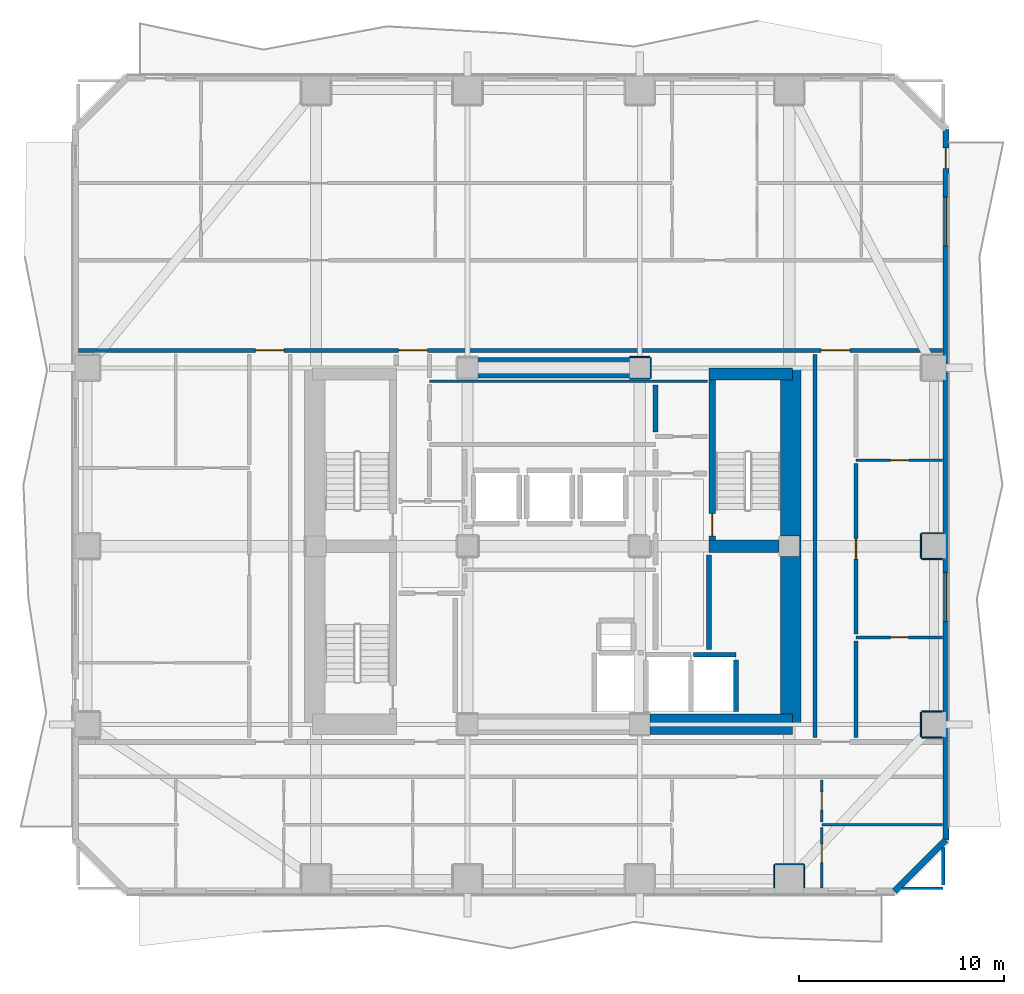
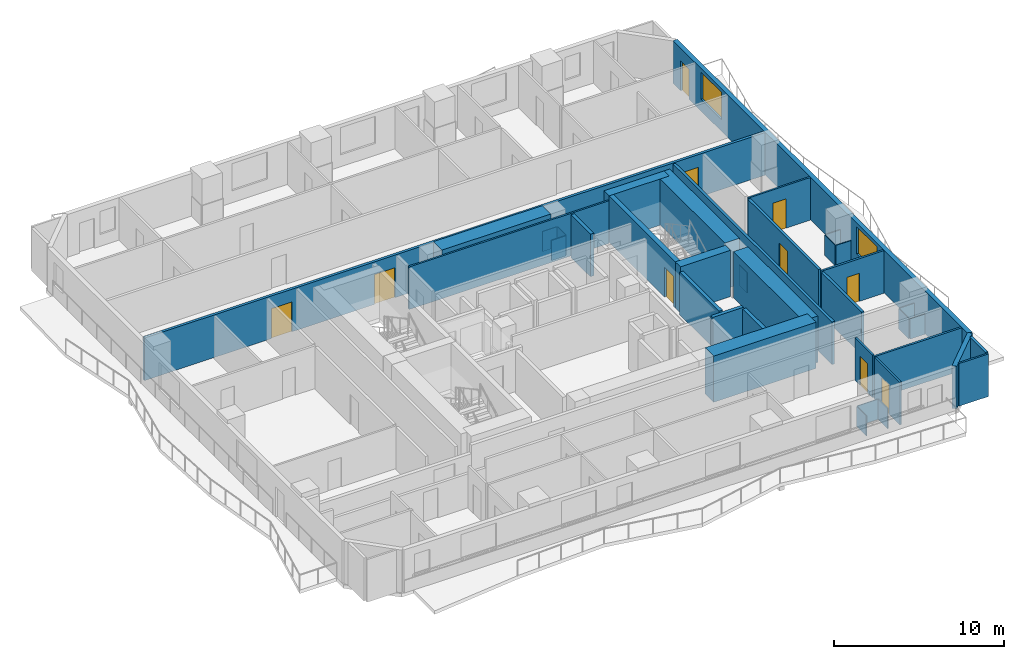
# One storey, part 5 of 12: 38 walls, 10 doors, 2 windows, 12 openings.
"""IFC4 building model written with IfcOpenShell, lengths in metres."""

from ifc_helpers import new_model, si_unit, direction, frame, frame_2d, origin, place, context, subcontext, project, spatial, rectangle, extrude, material, layer, layer_set, type_object, element, fill, save


model = new_model("IFC4")

# Units and contexts
model_context = context("Model", 3, precision=1e-05, world=origin(), true_north=direction((0.0, 1.0)))
body_context = subcontext(model_context, "Body", "Model", "MODEL_VIEW")
ifc_project = project(units=[si_unit("LENGTHUNIT", "METRE"), si_unit("AREAUNIT", "SQUARE_METRE"), si_unit("VOLUMEUNIT", "CUBIC_METRE"), si_unit("PLANEANGLEUNIT", "RADIAN"), si_unit("MASSUNIT", "GRAM", prefix="KILO")], contexts=[model_context])

# Site, building, storey
site_placement = place(None, origin())
site = spatial("IfcSite", under=ifc_project, at=site_placement, CompositionType="ELEMENT")
building_placement = place(site_placement, origin())
building = spatial("IfcBuilding", under=site, at=building_placement, Name="Solanera Arch Residences", CompositionType="ELEMENT")
storey_placement = place(building_placement, frame((0.0, 0.0, 96.1201171875)))
storey = spatial("IfcBuildingStorey", under=building, at=storey_placement, Name="L27", CompositionType="ELEMENT", Elevation=96.1201171875)

# Walls
ifc_material_1 = material(Name="Fire-Rated Gypsum Stud Partition", Category="gypsum")
ifc_layer_1 = layer(ifc_material_1, 0.06005859375)
ifc_layer_set_1 = layer_set([ifc_layer_1], Name="Fire-Rated Gypsum Stud Partition")
wall_type_1 = type_object("IfcWallType", Name="Column Acoustic Furring Wall 60", PredefinedType="PARTITIONING", material=ifc_layer_set_1)
for number, where, z_axis, x_axis, name in (
    (1, (28.699951171875, 38.867919921875, 0.0), (0.0, 0.0, 1.0), (1.0, 0.0, 0.0), "L27 Column Furring 4S"),
    (2, (28.699951171875, 39.931884765625, 0.0), (0.0, 0.0, 1.0), (1.0, 0.0, 0.0), "L27 Column Furring 4N"),
    (3, (29.73193359375, 38.89990234375, 0.0), (0.0, 0.0, 1.0), (0.0, 1.0, 0.0), "L27 Column Furring 4E"),
):
    element("IfcWall", number, at=place(storey_placement, frame(where, z_axis=z_axis, x_axis=x_axis)), inside=storey, type_object=wall_type_1, Name=name, PredefinedType="PARTITIONING", context=body_context, shape_type="SweptSolid", body=[
        extrude(rectangle(XDim=1.0, YDim=0.06005859375, at=frame_2d((0.5, 0.0))), origin(), (0.0, 0.0, 1.0), 1.449951171875),
    ])
wall_1_placement = place(storey_placement, frame((37.031982421875, 30.2099609375, 0.0), z_axis=(0.0, 0.0, 1.0), x_axis=(0.0, 1.0, 0.0)))
element("IfcWall", 4, at=wall_1_placement, inside=storey, type_object=wall_type_1, Name="L27 Column Furring 6E", PredefinedType="PARTITIONING", context=body_context, shape_type="SweptSolid", body=[
    extrude(rectangle(XDim=0.97998046875, YDim=0.06005859375, at=frame_2d((0.489990234375, 0.0))), origin(), (0.0, 0.0, 1.0), 1.449951171875),
])
wall_2_placement = place(storey_placement, frame((35.800048828125, 15.181884765625, 0.0), z_axis=(0.0, 0.0, 1.0), x_axis=(1.0, 0.0, 0.0)))
element("IfcWall", 5, at=wall_2_placement, inside=storey, type_object=wall_type_1, Name="L27 Column Furring 15N", PredefinedType="PARTITIONING", context=body_context, shape_type="SweptSolid", body=[
    extrude(rectangle(XDim=1.39990234375, YDim=0.06005859375, at=frame_2d((0.699951171875, 0.0))), origin(), (0.0, 0.0, 1.0), 1.449951171875),
])
for number, where, z_axis, x_axis, name in (
    (6, (35.76806640625, 14.030029296875, 0.0), (0.0, 0.0, 1.0), (0.0, 1.0, 0.0), "L27 Column Furring 15W"),
    (7, (37.23193359375, 14.030029296875, 0.0), (0.0, 0.0, 1.0), (0.0, 1.0, 0.0), "L27 Column Furring 15E"),
):
    element("IfcWall", number, at=place(storey_placement, frame(where, z_axis=z_axis, x_axis=x_axis)), inside=storey, type_object=wall_type_1, Name=name, PredefinedType="PARTITIONING", context=body_context, shape_type="SweptSolid", body=[
        extrude(rectangle(XDim=1.119873046875, YDim=0.06005859375, at=frame_2d((0.56005859375, 0.0))), origin(), (0.0, 0.0, 1.0), 1.449951171875),
    ])
for number, where, z_axis, x_axis, name in (
    (8, (42.949951171875, 21.367919921875, 0.0), (0.0, 0.0, 1.0), (1.0, 0.0, 0.0), "L27 Column Furring 18S"),
    (9, (42.949951171875, 22.632080078125, 0.0), (0.0, 0.0, 1.0), (1.0, 0.0, 0.0), "L27 Column Furring 18N"),
):
    element("IfcWall", number, at=place(storey_placement, frame(where, z_axis=z_axis, x_axis=x_axis)), inside=storey, type_object=wall_type_1, Name=name, PredefinedType="PARTITIONING", context=body_context, shape_type="SweptSolid", body=[
        extrude(rectangle(XDim=1.02001953125, YDim=0.06005859375, at=frame_2d((0.510009765625, 0.0))), origin(), (0.0, 0.0, 1.0), 1.449951171875),
    ])
wall_3_placement = place(storey_placement, frame((42.91796875, 21.39990234375, 0.0), z_axis=(0.0, 0.0, 1.0), x_axis=(0.0, 1.0, 0.0)))
element("IfcWall", 10, at=wall_3_placement, inside=storey, type_object=wall_type_1, Name="L27 Column Furring 18W", PredefinedType="PARTITIONING", context=body_context, shape_type="SweptSolid", body=[
    extrude(rectangle(XDim=1.2001953125, YDim=0.06005859375, at=frame_2d((0.60009765625, 0.0))), origin(), (0.0, 0.0, 1.0), 1.449951171875),
])
for number, where, z_axis, x_axis, name in (
    (11, (42.949951171875, 30.068115234375, 0.0), (0.0, 0.0, 1.0), (1.0, 0.0, 0.0), "L27 Column Furring 20S"),
    (12, (42.949951171875, 31.33203125, 0.0), (0.0, 0.0, 1.0), (1.0, 0.0, 0.0), "L27 Column Furring 20N"),
):
    element("IfcWall", number, at=place(storey_placement, frame(where, z_axis=z_axis, x_axis=x_axis)), inside=storey, type_object=wall_type_1, Name=name, PredefinedType="PARTITIONING", context=body_context, shape_type="SweptSolid", body=[
        extrude(rectangle(XDim=1.02001953125, YDim=0.06005859375, at=frame_2d((0.510009765625, 0.0))), origin(), (0.0, 0.0, 1.0), 1.449951171875),
    ])
wall_4_placement = place(storey_placement, frame((42.91796875, 30.10009765625, 0.0), z_axis=(0.0, 0.0, 1.0), x_axis=(0.0, 1.0, 0.0)))
element("IfcWall", 13, at=wall_4_placement, inside=storey, type_object=wall_type_1, Name="L27 Column Furring 20W", PredefinedType="PARTITIONING", context=body_context, shape_type="SweptSolid", body=[
    extrude(rectangle(XDim=1.199951171875, YDim=0.06005859375, at=frame_2d((0.60009765625, 0.0))), origin(), (0.0, 0.0, 1.0), 1.449951171875),
])
ifc_material_2 = material(Name="Concrete C55/67 (f'c = 60 MPa)", Category="concrete")
ifc_layer_2 = layer(ifc_material_2, 1.0)
ifc_layer_set_2 = layer_set([ifc_layer_2], Name="Concrete C55/67 (f'c = 60 MPa)")
wall_type_2 = type_object("IfcWallType", Name="Core Shear Wall CW-1000", PredefinedType="SHEAR", material=ifc_layer_set_2)
wall_5_placement = place(storey_placement, frame((36.56005859375, 22.0, 0.0), z_axis=(0.0, 0.0, 1.0), x_axis=(0.0, 1.0, 0.0)))
element("IfcWall", 14, at=wall_5_placement, inside=storey, type_object=wall_type_2, Name="L27 East Core South Shear Wall", PredefinedType="SHEAR", context=body_context, shape_type="SweptSolid", body=[
    extrude(rectangle(XDim=8.195068359375, YDim=1.0, at=frame_2d((4.09765625, 0.0))), origin(), (0.0, 0.0, 1.0), 3.31982421875),
])
wall_6_placement = place(storey_placement, frame((36.56005859375, 31.205078125, 0.0), z_axis=(0.0, 0.0, 1.0), x_axis=(0.0, 1.0, 0.0)))
element("IfcWall", 15, at=wall_6_placement, inside=storey, type_object=wall_type_2, Name="L27 East Core North Shear Wall", PredefinedType="SHEAR", context=body_context, shape_type="SweptSolid", body=[
    extrude(rectangle(XDim=8.19482421875, YDim=1.0, at=frame_2d((4.097412109375, 0.0))), origin(), (0.0, 0.0, 1.0), 3.31982421875),
])
wall_7_placement = place(storey_placement, frame((29.705078125, 22.0, 0.0), z_axis=(0.0, 0.0, 1.0), x_axis=(1.0, 0.0, 0.0)))
element("IfcWall", 16, at=wall_7_placement, inside=storey, type_object=wall_type_2, Name="L27 South-East Core Shear Wall", PredefinedType="SHEAR", context=body_context, shape_type="SweptSolid", body=[
    extrude(rectangle(XDim=6.954833984375, YDim=1.0, at=frame_2d((3.4775390625, 0.0))), origin(), (0.0, 0.0, 1.0), 3.31982421875),
])
wall_8_placement = place(storey_placement, frame((21.304931640625, 39.39990234375, 0.0), z_axis=(0.0, 0.0, 1.0), x_axis=(1.0, 0.0, 0.0)))
element("IfcWall", 17, at=wall_8_placement, inside=storey, type_object=wall_type_2, Name="L27 Central North Core Shear Wall", PredefinedType="SHEAR", context=body_context, shape_type="SweptSolid", body=[
    extrude(rectangle(XDim=7.39013671875, YDim=1.0, at=frame_2d((3.695068359375, 0.0))), origin(), (0.0, 0.0, 1.0), 3.31982421875),
])

# Wall, opening, door
ifc_material_3 = material(Name="Concrete C40/50 (f'c = 45 MPa)", Category="concrete")
ifc_layer_3 = layer(ifc_material_3, 0.320068359375)
ifc_layer_set_3 = layer_set([ifc_layer_3], Name="Concrete C40/50 (f'c = 45 MPa)")
wall_type_3 = type_object("IfcWallType", Name="Core Shear Wall CW-320", PredefinedType="SHEAR", material=ifc_layer_set_3)
wall_9_placement = place(storey_placement, frame((32.739990234375, 31.0, 0.0), z_axis=(0.0, 0.0, 1.0), x_axis=(0.0, 1.0, 0.0)))
wall_9 = element("IfcWall", 18, at=wall_9_placement, inside=storey, type_object=wall_type_3, Name="L27 Stair ST-T2 West Shear Wall", PredefinedType="SHEAR", context=body_context, shape_type="SweptSolid", body=[
    extrude(rectangle(XDim=7.800048828125, YDim=0.320068359375, at=frame_2d((3.89990234375, 0.0))), origin(), (0.0, 0.0, 1.0), 3.31982421875),
])
opening_1_placement = place(wall_9_placement, frame((0.18994140625, 0.0, 0.0)))
opening_1 = element("IfcOpeningElement", 19, at=opening_1_placement, cuts=wall_9, Name="Opening DF-01", PredefinedType="OPENING", context=body_context, shape_type="SweptSolid", body=[
    extrude(rectangle(XDim=1.10009765625, YDim=2.14990234375, at=frame_2d((0.550048828125, 1.074951171875))), frame((0.0, 0.169921875, 0.0), z_axis=(0.0, -1.0, 0.0), x_axis=(1.0, 0.0, 0.0)), (0.0, 0.0, 1.0), 0.3401),
])
ifc_material_4 = material(Name="Fire-Rated Architectural Hardwood", Category="wood")
door_type_1 = type_object("IfcDoorType", Name="Stair Exit Fire Door DF-01", OperationType="NOTDEFINED", PredefinedType="DOOR", material=ifc_material_4)
door_1_placement = place(opening_1_placement, origin())
door_1 = element("IfcDoor", 20, at=door_1_placement, inside=storey, type_object=door_type_1, Name="DR-L27-STAIR-ST-T2", OperationType="SINGLE_SWING_LEFT", OverallHeight=2.14990234375, OverallWidth=1.10009765625, PredefinedType="DOOR", context=body_context, shape_type="SweptSolid", body=[
    extrude(rectangle(XDim=1.10009765625, YDim=2.14990234375, at=frame_2d((0.550048828125, 1.074951171875))), frame((0.0, 0.02490234375, 0.0), z_axis=(0.0, -1.0, 0.0), x_axis=(1.0, 0.0, 0.0)), (0.0, 0.0, 1.0), 0.050048828125),
])
fill(opening_1, door_1)

# Walls
ifc_material_5 = material(Name="Concrete C40/50 (f'c = 45 MPa)", Category="concrete")
ifc_layer_4 = layer(ifc_material_5, 0.60009765625)
ifc_layer_set_4 = layer_set([ifc_layer_4], Name="Concrete C40/50 (f'c = 45 MPa)")
wall_type_4 = type_object("IfcWallType", Name="Core Shear Wall CW-600", PredefinedType="SHEAR", material=ifc_layer_set_4)
wall_10_placement = place(storey_placement, frame((32.580078125, 39.10009765625, 0.0), z_axis=(0.0, 0.0, 1.0), x_axis=(1.0, 0.0, 0.0)))
element("IfcWall", 21, at=wall_10_placement, inside=storey, type_object=wall_type_4, Name="L27 North-East Core Shear Wall", PredefinedType="SHEAR", context=body_context, shape_type="SweptSolid", body=[
    extrude(rectangle(XDim=4.079833984375, YDim=0.60009765625, at=frame_2d((2.0400390625, 0.0))), origin(), (0.0, 0.0, 1.0), 3.31982421875),
])
wall_11_placement = place(storey_placement, frame((32.580078125, 30.699951171875, 0.0), z_axis=(0.0, 0.0, 1.0), x_axis=(1.0, 0.0, 0.0)))
element("IfcWall", 22, at=wall_11_placement, inside=storey, type_object=wall_type_4, Name="L27 East Stair Far-Landing Shear Wall", PredefinedType="SHEAR", context=body_context, shape_type="SweptSolid", body=[
    extrude(rectangle(XDim=3.4150390625, YDim=0.60009765625, at=frame_2d((1.70751953125, 0.0))), origin(), (0.0, 0.0, 1.0), 3.31982421875),
])

# Wall, openings, doors
ifc_material_6 = material(Name="Autoclaved Aerated Concrete Blockwork", Category="masonry")
ifc_layer_5 = layer(ifc_material_6, 0.179931640625)
ifc_layer_set_5 = layer_set([ifc_layer_5], Name="Autoclaved Aerated Concrete Blockwork")
wall_type_5 = type_object("IfcWallType", Name="Corridor Fire Partition 180", PredefinedType="PARTITIONING", material=ifc_layer_set_5)
wall_12_placement = place(storey_placement, frame((1.826904296875, 40.25, 0.0), z_axis=(0.0, 0.0, 1.0), x_axis=(1.0, 0.0, 0.0)))
wall_12 = element("IfcWall", 23, at=wall_12_placement, inside=storey, type_object=wall_type_5, Name="L27 Interior Partition H11", PredefinedType="PARTITIONING", context=body_context, shape_type="SweptSolid", body=[
    extrude(rectangle(XDim=42.14599609375, YDim=0.179931640625, at=frame_2d((21.072998046875, 0.0))), origin(), (0.0, 0.0, 1.0), 3.059814453125),
])
opening_2_placement = place(wall_12_placement, frame((15.60791015625, 0.0, 0.0)))
opening_2 = element("IfcOpeningElement", 24, at=opening_2_placement, cuts=wall_12, Name="Opening DF-03", PredefinedType="OPENING", context=body_context, shape_type="SweptSolid", body=[
    extrude(rectangle(XDim=1.39990234375, YDim=2.14990234375, at=frame_2d((0.699951171875, 1.074951171875))), frame((0.0, 0.10009765625, 0.0), z_axis=(0.0, -1.0, 0.0), x_axis=(1.0, 0.0, 0.0)), (0.0, 0.0, 1.0), 0.1999),
])
opening_3_placement = place(wall_12_placement, frame((8.623046875, 0.0, 0.0)))
opening_3 = element("IfcOpeningElement", 25, at=opening_3_placement, cuts=wall_12, Name="Opening DF-03", PredefinedType="OPENING", context=body_context, shape_type="SweptSolid", body=[
    extrude(rectangle(XDim=1.39990234375, YDim=2.14990234375, at=frame_2d((0.699951171875, 1.074951171875))), frame((0.0, 0.10009765625, 0.0), z_axis=(0.0, -1.0, 0.0), x_axis=(1.0, 0.0, 0.0)), (0.0, 0.0, 1.0), 0.1999),
])
opening_4_placement = place(wall_12_placement, frame((36.222900390625, 0.0, 0.0)))
opening_4 = element("IfcOpeningElement", 26, at=opening_4_placement, cuts=wall_12, Name="Opening DF-03", PredefinedType="OPENING", context=body_context, shape_type="SweptSolid", body=[
    extrude(rectangle(XDim=1.39990234375, YDim=2.14990234375, at=frame_2d((0.699951171875, 1.074951171875))), frame((0.0, 0.10009765625, 0.0), z_axis=(0.0, -1.0, 0.0), x_axis=(1.0, 0.0, 0.0)), (0.0, 0.0, 1.0), 0.1999),
])
ifc_material_7 = material(Name="Fire-Rated Architectural Hardwood", Category="wood")
door_type_2 = type_object("IfcDoorType", Name="Corridor Smoke Door DF-03", OperationType="NOTDEFINED", PredefinedType="DOOR", material=ifc_material_7)
door_2_placement = place(opening_2_placement, origin())
door_2 = element("IfcDoor", 27, at=door_2_placement, inside=storey, type_object=door_type_2, Name="DR-L27-IN-009", OperationType="SINGLE_SWING_RIGHT", OverallHeight=2.14990234375, OverallWidth=1.39990234375, PredefinedType="DOOR", context=body_context, shape_type="SweptSolid", body=[
    extrude(rectangle(XDim=1.39990234375, YDim=2.14990234375, at=frame_2d((0.699951171875, 1.074951171875))), frame((0.0, 0.02490234375, 0.0), z_axis=(0.0, -1.0, 0.0), x_axis=(1.0, 0.0, 0.0)), (0.0, 0.0, 1.0), 0.050048828125),
])
fill(opening_2, door_2)
door_3_placement = place(opening_3_placement, origin())
door_3 = element("IfcDoor", 28, at=door_3_placement, inside=storey, type_object=door_type_2, Name="DR-L27-IN-012", OperationType="SINGLE_SWING_LEFT", OverallHeight=2.14990234375, OverallWidth=1.39990234375, PredefinedType="DOOR", context=body_context, shape_type="SweptSolid", body=[
    extrude(rectangle(XDim=1.39990234375, YDim=2.14990234375, at=frame_2d((0.699951171875, 1.074951171875))), frame((0.0, 0.02490234375, 0.0), z_axis=(0.0, -1.0, 0.0), x_axis=(1.0, 0.0, 0.0)), (0.0, 0.0, 1.0), 0.050048828125),
])
fill(opening_3, door_3)
door_4_placement = place(opening_4_placement, origin())
door_4 = element("IfcDoor", 29, at=door_4_placement, inside=storey, type_object=door_type_2, Name="DR-L27-IN-013", OperationType="SINGLE_SWING_RIGHT", OverallHeight=2.14990234375, OverallWidth=1.39990234375, PredefinedType="DOOR", context=body_context, shape_type="SweptSolid", body=[
    extrude(rectangle(XDim=1.39990234375, YDim=2.14990234375, at=frame_2d((0.699951171875, 1.074951171875))), frame((0.0, 0.02490234375, 0.0), z_axis=(0.0, -1.0, 0.0), x_axis=(1.0, 0.0, 0.0)), (0.0, 0.0, 1.0), 0.050048828125),
])
fill(opening_4, door_4)

# Walls
wall_13_placement = place(storey_placement, frame((37.75, 21.367919921875, 0.0), z_axis=(0.0, 0.0, 1.0), x_axis=(0.0, 1.0, 0.0)))
element("IfcWall", 30, at=wall_13_placement, inside=storey, type_object=wall_type_5, Name="L27 Interior Partition V11", PredefinedType="PARTITIONING", context=body_context, shape_type="SweptSolid", body=[
    extrude(rectangle(XDim=18.694091796875, YDim=0.179931640625, at=frame_2d((9.34716796875, 0.0))), origin(), (0.0, 0.0, 1.0), 3.059814453125),
])
wall_14_placement = place(storey_placement, frame((39.75, 21.367919921875, 0.0), z_axis=(0.0, 0.0, 1.0), x_axis=(0.0, 1.0, 0.0)))
element("IfcWall", 31, at=wall_14_placement, inside=storey, type_object=wall_type_5, Name="L27 Interior Partition V12 1", PredefinedType="PARTITIONING", context=body_context, shape_type="SweptSolid", body=[
    extrude(rectangle(XDim=4.714111328125, YDim=0.179931640625, at=frame_2d((2.35693359375, 0.0))), origin(), (0.0, 0.0, 1.0), 3.059814453125),
])

# Wall, opening, door
wall_15_placement = place(storey_placement, frame((39.75, 26.41796875, 0.0), z_axis=(0.0, 0.0, 1.0), x_axis=(0.0, 1.0, 0.0)))
wall_15 = element("IfcWall", 32, at=wall_15_placement, inside=storey, type_object=wall_type_5, Name="L27 Interior Partition V12 2", PredefinedType="PARTITIONING", context=body_context, shape_type="SweptSolid", body=[
    extrude(rectangle(XDim=8.31591796875, YDim=0.179931640625, at=frame_2d((4.157958984375, 0.0))), origin(), (0.0, 0.0, 1.0), 3.059814453125),
])
opening_5_placement = place(wall_15_placement, frame((3.653076171875, 0.0, 0.0)))
opening_5 = element("IfcOpeningElement", 33, at=opening_5_placement, cuts=wall_15, Name="Opening DI-01", PredefinedType="OPENING", context=body_context, shape_type="SweptSolid", body=[
    extrude(rectangle(XDim=1.0, YDim=2.14990234375, at=frame_2d((0.5, 1.074951171875))), frame((0.0, 0.10009765625, 0.0), z_axis=(0.0, -1.0, 0.0), x_axis=(1.0, 0.0, 0.0)), (0.0, 0.0, 1.0), 0.1999),
])
ifc_material_8 = material(Name="Fire-Rated Architectural Hardwood", Category="wood")
door_type_3 = type_object("IfcDoorType", Name="Unit Entrance Fire Door DI-01", OperationType="NOTDEFINED", PredefinedType="DOOR", material=ifc_material_8)
door_5_placement = place(opening_5_placement, origin())
door_5 = element("IfcDoor", 34, at=door_5_placement, inside=storey, type_object=door_type_3, Name="DR-L27-IN-046", OperationType="SINGLE_SWING_LEFT", OverallHeight=2.14990234375, OverallWidth=1.0, PredefinedType="DOOR", context=body_context, shape_type="SweptSolid", body=[
    extrude(rectangle(XDim=1.0, YDim=2.14990234375, at=frame_2d((0.5, 1.074951171875))), frame((0.0, 0.02490234375, 0.0), z_axis=(0.0, -1.0, 0.0), x_axis=(1.0, 0.0, 0.0)), (0.0, 0.0, 1.0), 0.050048828125),
])
fill(opening_5, door_5)

# Wall
wall_16_placement = place(storey_placement, frame((44.0, 14.157958984375, 0.0), z_axis=(0.0, 0.0, 1.0), x_axis=(0.0, 1.0, 0.0)))
element("IfcWall", 35, at=wall_16_placement, inside=storey, type_object=wall_type_5, Name="L27 Interior Partition V13 1", PredefinedType="PARTITIONING", context=body_context, shape_type="SweptSolid", body=[
    extrude(rectangle(XDim=1.843017578125, YDim=0.179931640625, at=frame_2d((0.92138671875, 0.0))), origin(), (0.0, 0.0, 1.0), 3.059814453125),
])

# Wall, openings, door, windows
ifc_material_9 = material(Name="Precast Concrete C35/45", Category="concrete")
ifc_layer_6 = layer(ifc_material_9, 0.300048828125)
ifc_layer_set_6 = layer_set([ifc_layer_6], Name="Precast Concrete C35/45")
wall_type_6 = type_object("IfcWallType", Name="Exterior Wall Precast Masonry-Frame 300", PredefinedType="STANDARD", material=ifc_layer_set_6)
wall_17_placement = place(storey_placement, frame((44.135009765625, 51.034912109375, 0.0), z_axis=(0.0, 0.0, 1.0), x_axis=(0.0, -1.0, 0.0)))
wall_17 = element("IfcWall", 36, at=wall_17_placement, inside=storey, type_object=wall_type_6, Name="L27 Tower Exterior Precast Masonry-Frame Wall E", PredefinedType="STANDARD", context=body_context, shape_type="SweptSolid", body=[
    extrude(rectangle(XDim=34.669921875, YDim=0.300048828125, at=frame_2d((17.3349609375, 0.0))), origin(), (0.0, 0.0, 1.0), 3.059814453125),
])
opening_6_placement = place(wall_17_placement, frame((0.90087890625, 0.0, 0.0)))
opening_6 = element("IfcOpeningElement", 37, at=opening_6_placement, cuts=wall_17, Name="Opening DB-01", PredefinedType="OPENING", context=body_context, shape_type="SweptSolid", body=[
    extrude(rectangle(XDim=1.0, YDim=2.14990234375, at=frame_2d((0.5, 1.074951171875))), frame((0.0, 0.159912109375, 0.0), z_axis=(0.0, -1.0, 0.0), x_axis=(1.0, 0.0, 0.0)), (0.0, 0.0, 1.0), 0.32),
])
opening_7_placement = place(wall_17_placement, frame((3.302978515625, 0.0, 0.85009765625)))
opening_7 = element("IfcOpeningElement", 38, at=opening_7_placement, cuts=wall_17, Name="Opening W-05", PredefinedType="OPENING", context=body_context, shape_type="SweptSolid", body=[
    extrude(rectangle(XDim=2.39990234375, YDim=1.949951171875, at=frame_2d((1.199951171875, 0.97509765625))), frame((0.0, 0.159912109375, 0.0), z_axis=(0.0, -1.0, 0.0), x_axis=(1.0, 0.0, 0.0)), (0.0, 0.0, 1.0), 0.32),
])
opening_8_placement = place(wall_17_placement, frame((21.610107421875, 0.0, 0.85009765625)))
opening_8 = element("IfcOpeningElement", 39, at=opening_8_placement, cuts=wall_17, Name="Opening W-05", PredefinedType="OPENING", context=body_context, shape_type="SweptSolid", body=[
    extrude(rectangle(XDim=2.39990234375, YDim=1.949951171875, at=frame_2d((1.199951171875, 0.97509765625))), frame((0.0, 0.159912109375, 0.0), z_axis=(0.0, -1.0, 0.0), x_axis=(1.0, 0.0, 0.0)), (0.0, 0.0, 1.0), 0.32),
])
ifc_material_10 = material(Name="Anodised Aluminium Alloy 6063-T6", Category="aluminium")
door_type_4 = type_object("IfcDoorType", Name="Glazed Balcony Swing Door DB-01", OperationType="NOTDEFINED", PredefinedType="DOOR", material=ifc_material_10)
door_6_placement = place(opening_6_placement, origin())
door_6 = element("IfcDoor", 40, at=door_6_placement, inside=storey, type_object=door_type_4, Name="DR-L27-OUT-03", OperationType="SINGLE_SWING_LEFT", OverallHeight=2.14990234375, OverallWidth=1.0, PredefinedType="DOOR", context=body_context, shape_type="SweptSolid", body=[
    extrude(rectangle(XDim=1.0, YDim=2.14990234375, at=frame_2d((0.5, 1.074951171875))), frame((0.0, 0.02490234375, 0.0), z_axis=(0.0, -1.0, 0.0), x_axis=(1.0, 0.0, 0.0)), (0.0, 0.0, 1.0), 0.050048828125),
])
fill(opening_6, door_6)
ifc_material_11 = material(Name="Double Glazed Low-E Laminated Glass", Category="glass")
window_type = type_object("IfcWindowType", Name="Punched Window W-05", PartitioningType="TRIPLE_PANEL_VERTICAL", PredefinedType="WINDOW", material=ifc_material_11)
window_1_placement = place(opening_7_placement, origin())
window_1 = element("IfcWindow", 41, at=window_1_placement, inside=storey, type_object=window_type, Name="L27 2704-STD Punched Window", OverallHeight=1.949951171875, OverallWidth=2.39990234375, PartitioningType="SINGLE_PANEL", PredefinedType="WINDOW", context=body_context, shape_type="SweptSolid", body=[
    extrude(rectangle(XDim=2.39990234375, YDim=1.949951171875, at=frame_2d((1.199951171875, 0.97509765625))), frame((0.0, 0.030029296875, 0.0), z_axis=(0.0, -1.0, 0.0), x_axis=(1.0, 0.0, 0.0)), (0.0, 0.0, 1.0), 0.06005859375),
])
fill(opening_7, window_1)
window_2_placement = place(opening_8_placement, origin())
window_2 = element("IfcWindow", 42, at=window_2_placement, inside=storey, type_object=window_type, Name="L27 2706-LIV Punched Window", OverallHeight=1.949951171875, OverallWidth=2.39990234375, PartitioningType="SINGLE_PANEL", PredefinedType="WINDOW", context=body_context, shape_type="SweptSolid", body=[
    extrude(rectangle(XDim=2.39990234375, YDim=1.949951171875, at=frame_2d((1.199951171875, 0.97509765625))), frame((0.0, 0.030029296875, 0.0), z_axis=(0.0, -1.0, 0.0), x_axis=(1.0, 0.0, 0.0)), (0.0, 0.0, 1.0), 0.06005859375),
])
fill(opening_8, window_2)

# Walls
wall_18_placement = place(storey_placement, frame((44.135009765625, 16.364990234375, 0.0), z_axis=(0.0, 0.0, 1.0), x_axis=(-0.707106781187, -0.707106781187, 0.0)))
element("IfcWall", 43, at=wall_18_placement, inside=storey, type_object=wall_type_6, Name="L27 Tower Exterior Precast Masonry-Frame Wall CH5", PredefinedType="STANDARD", context=body_context, shape_type="SweptSolid", body=[
    extrude(rectangle(XDim=3.53564453125, YDim=0.300048828125, at=frame_2d((1.767822265625, 0.0))), origin(), (0.0, 0.0, 1.0), 3.059814453125),
])
ifc_material_12 = material(Name="Autoclaved Aerated Concrete Blockwork", Category="masonry")
ifc_layer_7 = layer(ifc_material_12, 0.239990234375)
ifc_layer_set_7 = layer_set([ifc_layer_7], Name="Autoclaved Aerated Concrete Blockwork")
wall_type_7 = type_object("IfcWallType", Name="Shaft Wall Fire-Rated 240", PredefinedType="PARTITIONING", material=ifc_layer_set_7)
wall_19_placement = place(storey_placement, frame((31.827880859375, 25.39990234375, 0.0), z_axis=(0.0, 0.0, 1.0), x_axis=(1.0, 0.0, 0.0)))
element("IfcWall", 44, at=wall_19_placement, inside=storey, type_object=wall_type_7, Name="L27 Lift FFL-2 Hoistway Wall N", PredefinedType="PARTITIONING", context=body_context, shape_type="SweptSolid", body=[
    extrude(rectangle(XDim=2.072021484375, YDim=0.239990234375, at=frame_2d((1.0361328125, 0.0))), origin(), (0.0, 0.0, 1.0), 3.059814453125),
])
wall_20_placement = place(storey_placement, frame((33.89990234375, 22.6298828125, 0.0), z_axis=(0.0, 0.0, 1.0), x_axis=(0.0, 1.0, 0.0)))
element("IfcWall", 45, at=wall_20_placement, inside=storey, type_object=wall_type_7, Name="L27 Lift FFL-2 Hoistway Wall E", PredefinedType="PARTITIONING", context=body_context, shape_type="SweptSolid", body=[
    extrude(rectangle(XDim=2.522216796875, YDim=0.239990234375, at=frame_2d((1.26123046875, 0.0))), origin(), (0.0, 0.0, 1.0), 3.059814453125),
])
wall_21_placement = place(storey_placement, frame((29.97509765625, 36.26806640625, 0.0), z_axis=(0.0, 0.0, 1.0), x_axis=(0.0, 1.0, 0.0)))
element("IfcWall", 46, at=wall_21_placement, inside=storey, type_object=wall_type_7, Name="L27 Interior Partition V4 4", PredefinedType="PARTITIONING", context=body_context, shape_type="SweptSolid", body=[
    extrude(rectangle(XDim=2.2939453125, YDim=0.239990234375, at=frame_2d((1.14697265625, 0.0))), origin(), (0.0, 0.0, 1.0), 3.059814453125),
])
wall_22_placement = place(storey_placement, frame((32.580078125, 25.64794921875, 0.0), z_axis=(0.0, 0.0, 1.0), x_axis=(0.0, 1.0, 0.0)))
element("IfcWall", 47, at=wall_22_placement, inside=storey, type_object=wall_type_7, Name="L27 Interior Partition V5", PredefinedType="PARTITIONING", context=body_context, shape_type="SweptSolid", body=[
    extrude(rectangle(XDim=4.6220703125, YDim=0.239990234375, at=frame_2d((2.31103515625, 0.0))), origin(), (0.0, 0.0, 1.0), 3.059814453125),
])
ifc_material_13 = material(Name="Fire-Rated Gypsum Stud Partition", Category="gypsum")
ifc_layer_8 = layer(ifc_material_13, 0.1201171875)
ifc_layer_set_8 = layer_set([ifc_layer_8], Name="Fire-Rated Gypsum Stud Partition")
wall_type_8 = type_object("IfcWallType", Name="Unit Drywall Partition 120", PredefinedType="PARTITIONING", material=ifc_layer_set_8)
wall_23_placement = place(storey_placement, frame((41.9990234375, 14.0, 0.0), z_axis=(0.0, 0.0, 1.0), x_axis=(1.0, 0.0, 0.0)))
element("IfcWall", 48, at=wall_23_placement, inside=storey, type_object=wall_type_8, Name="L27 Interior Partition H20 2", PredefinedType="PARTITIONING", context=body_context, shape_type="SweptSolid", body=[
    extrude(rectangle(XDim=2.0009765625, YDim=0.1201171875, at=frame_2d((1.00048828125, 0.0))), origin(), (0.0, 0.0, 1.0), 3.059814453125),
])

# Wall, opening, door
wall_24_placement = place(storey_placement, frame((39.75, 34.89208984375, 0.0), z_axis=(0.0, 0.0, 1.0), x_axis=(1.0, 0.0, 0.0)))
wall_24 = element("IfcWall", 49, at=wall_24_placement, inside=storey, type_object=wall_type_8, Name="L27 Interior Partition H22", PredefinedType="PARTITIONING", context=body_context, shape_type="SweptSolid", body=[
    extrude(rectangle(XDim=4.222900390625, YDim=0.1201171875, at=frame_2d((2.111328125, 0.0))), origin(), (0.0, 0.0, 1.0), 3.059814453125),
])
opening_9_placement = place(wall_24_placement, frame((1.675048828125, 0.0, 0.0)))
opening_9 = element("IfcOpeningElement", 50, at=opening_9_placement, cuts=wall_24, Name="Opening DI-02", PredefinedType="OPENING", context=body_context, shape_type="SweptSolid", body=[
    extrude(rectangle(XDim=0.89990234375, YDim=2.10009765625, at=frame_2d((0.449951171875, 1.050048828125))), frame((0.0, 0.070068359375, 0.0), z_axis=(0.0, -1.0, 0.0), x_axis=(1.0, 0.0, 0.0)), (0.0, 0.0, 1.0), 0.1401),
])
ifc_material_14 = material(Name="Fire-Rated Architectural Hardwood", Category="wood")
door_type_5 = type_object("IfcDoorType", Name="Suite Room Swing Door DI-02", OperationType="NOTDEFINED", PredefinedType="DOOR", material=ifc_material_14)
door_7_placement = place(opening_9_placement, origin())
door_7 = element("IfcDoor", 51, at=door_7_placement, inside=storey, type_object=door_type_5, Name="DR-L27-IN-048", OperationType="SINGLE_SWING_LEFT", OverallHeight=2.10009765625, OverallWidth=0.89990234375, PredefinedType="DOOR", context=body_context, shape_type="SweptSolid", body=[
    extrude(rectangle(XDim=0.89990234375, YDim=2.10009765625, at=frame_2d((0.449951171875, 1.050048828125))), frame((0.0, 0.02490234375, 0.0), z_axis=(0.0, -1.0, 0.0), x_axis=(1.0, 0.0, 0.0)), (0.0, 0.0, 1.0), 0.050048828125),
])
fill(opening_9, door_7)

# Wall
wall_25_placement = place(storey_placement, frame((18.949951171875, 38.75, 0.0), z_axis=(0.0, 0.0, 1.0), x_axis=(1.0, 0.0, 0.0)))
element("IfcWall", 52, at=wall_25_placement, inside=storey, type_object=wall_type_8, Name="L27 Interior Partition H23", PredefinedType="PARTITIONING", context=body_context, shape_type="SweptSolid", body=[
    extrude(rectangle(XDim=13.56005859375, YDim=0.1201171875, at=frame_2d((6.780029296875, 0.0))), origin(), (0.0, 0.0, 1.0), 3.059814453125),
])

# Wall, opening, door
wall_26_placement = place(storey_placement, frame((38.080078125, 14.027099609375, 0.0), z_axis=(0.0, 0.0, 1.0), x_axis=(0.0, 1.0, 0.0)))
wall_26 = element("IfcWall", 53, at=wall_26_placement, inside=storey, type_object=wall_type_8, Name="L27 Interior Partition V25 1", PredefinedType="PARTITIONING", context=body_context, shape_type="SweptSolid", body=[
    extrude(rectangle(XDim=2.94189453125, YDim=0.1201171875, at=frame_2d((1.470947265625, 0.0))), origin(), (0.0, 0.0, 1.0), 3.059814453125),
])
opening_10_placement = place(wall_26_placement, frame((1.2490234375, 0.0, 0.0)))
opening_10 = element("IfcOpeningElement", 54, at=opening_10_placement, cuts=wall_26, Name="Opening DI-03", PredefinedType="OPENING", context=body_context, shape_type="SweptSolid", body=[
    extrude(rectangle(XDim=0.89990234375, YDim=2.10009765625, at=frame_2d((0.449951171875, 1.050048828125))), frame((0.0, 0.070068359375, 0.0), z_axis=(0.0, -1.0, 0.0), x_axis=(1.0, 0.0, 0.0)), (0.0, 0.0, 1.0), 0.1401),
])
ifc_material_15 = material(Name="Fire-Rated Architectural Hardwood", Category="wood")
door_type_6 = type_object("IfcDoorType", Name="Bedroom Swing Door DI-03", OperationType="NOTDEFINED", PredefinedType="DOOR", material=ifc_material_15)
door_8_placement = place(opening_10_placement, origin())
door_8 = element("IfcDoor", 55, at=door_8_placement, inside=storey, type_object=door_type_6, Name="DR-L27-IN-028", OperationType="SINGLE_SWING_LEFT", OverallHeight=2.10009765625, OverallWidth=0.89990234375, PredefinedType="DOOR", context=body_context, shape_type="SweptSolid", body=[
    extrude(rectangle(XDim=0.89990234375, YDim=2.10009765625, at=frame_2d((0.449951171875, 1.050048828125))), frame((0.0, 0.02490234375, 0.0), z_axis=(0.0, -1.0, 0.0), x_axis=(1.0, 0.0, 0.0)), (0.0, 0.0, 1.0), 0.050048828125),
])
fill(opening_10, door_8)

wall_27_placement = place(storey_placement, frame((38.080078125, 17.2451171875, 0.0), z_axis=(0.0, 0.0, 1.0), x_axis=(0.0, 1.0, 0.0)))
wall_27 = element("IfcWall", 56, at=wall_27_placement, inside=storey, type_object=wall_type_8, Name="L27 Interior Partition V25 2", PredefinedType="PARTITIONING", context=body_context, shape_type="SweptSolid", body=[
    extrude(rectangle(XDim=2.046875, YDim=0.1201171875, at=frame_2d((1.0234375, 0.0))), origin(), (0.0, 0.0, 1.0), 3.059814453125),
])
opening_11_placement = place(wall_27_placement, frame((0.571044921875, 0.0, 0.0)))
opening_11 = element("IfcOpeningElement", 57, at=opening_11_placement, cuts=wall_27, Name="Opening DI-02", PredefinedType="OPENING", context=body_context, shape_type="SweptSolid", body=[
    extrude(rectangle(XDim=0.89990234375, YDim=2.10009765625, at=frame_2d((0.449951171875, 1.050048828125))), frame((0.0, 0.070068359375, 0.0), z_axis=(0.0, -1.0, 0.0), x_axis=(1.0, 0.0, 0.0)), (0.0, 0.0, 1.0), 0.1401),
])
door_9_placement = place(opening_11_placement, origin())
door_9 = element("IfcDoor", 58, at=door_9_placement, inside=storey, type_object=door_type_5, Name="DR-L27-IN-027", OperationType="SINGLE_SWING_RIGHT", OverallHeight=2.10009765625, OverallWidth=0.89990234375, PredefinedType="DOOR", context=body_context, shape_type="SweptSolid", body=[
    extrude(rectangle(XDim=0.89990234375, YDim=2.10009765625, at=frame_2d((0.449951171875, 1.050048828125))), frame((0.0, 0.02490234375, 0.0), z_axis=(0.0, -1.0, 0.0), x_axis=(1.0, 0.0, 0.0)), (0.0, 0.0, 1.0), 0.050048828125),
])
fill(opening_11, door_9)

# Wall
ifc_material_16 = material(Name="Autoclaved Aerated Concrete Blockwork", Category="masonry")
ifc_layer_9 = layer(ifc_material_16, 0.139892578125)
ifc_layer_set_9 = layer_set([ifc_layer_9], Name="Autoclaved Aerated Concrete Blockwork")
wall_type_9 = type_object("IfcWallType", Name="Wet-Room Partition 140", PredefinedType="PARTITIONING", material=ifc_layer_set_9)
wall_28_placement = place(storey_placement, frame((38.080078125, 17.10693359375, 0.0), z_axis=(0.0, 0.0, 1.0), x_axis=(1.0, 0.0, 0.0)))
element("IfcWall", 59, at=wall_28_placement, inside=storey, type_object=wall_type_9, Name="L27 Interior Partition H15", PredefinedType="PARTITIONING", context=body_context, shape_type="SweptSolid", body=[
    extrude(rectangle(XDim=5.892822265625, YDim=0.139892578125, at=frame_2d((2.9462890625, 0.0))), origin(), (0.0, 0.0, 1.0), 3.059814453125),
])

# Wall, opening, door
wall_29_placement = place(storey_placement, frame((39.75, 26.25, 0.0), z_axis=(0.0, 0.0, 1.0), x_axis=(1.0, 0.0, 0.0)))
wall_29 = element("IfcWall", 60, at=wall_29_placement, inside=storey, type_object=wall_type_9, Name="L27 Interior Partition H16", PredefinedType="PARTITIONING", context=body_context, shape_type="SweptSolid", body=[
    extrude(rectangle(XDim=4.222900390625, YDim=0.139892578125, at=frame_2d((2.111328125, 0.0))), origin(), (0.0, 0.0, 1.0), 3.059814453125),
])
opening_12_placement = place(wall_29_placement, frame((1.695068359375, 0.0, 0.0)))
opening_12 = element("IfcOpeningElement", 61, at=opening_12_placement, cuts=wall_29, Name="Opening DI-05", PredefinedType="OPENING", context=body_context, shape_type="SweptSolid", body=[
    extrude(rectangle(XDim=0.860107421875, YDim=2.02001953125, at=frame_2d((0.43017578125, 1.010009765625))), frame((0.0, 0.079833984375, 0.0), z_axis=(0.0, -1.0, 0.0), x_axis=(1.0, 0.0, 0.0)), (0.0, 0.0, 1.0), 0.1599),
])
ifc_material_17 = material(Name="Fire-Rated Architectural Hardwood", Category="wood")
door_type_7 = type_object("IfcDoorType", Name="Bathroom Swing Door DI-05", OperationType="NOTDEFINED", PredefinedType="DOOR", material=ifc_material_17)
door_10_placement = place(opening_12_placement, origin())
door_10 = element("IfcDoor", 62, at=door_10_placement, inside=storey, type_object=door_type_7, Name="DR-L27-IN-047", OperationType="SINGLE_SWING_RIGHT", OverallHeight=2.02001953125, OverallWidth=0.860107421875, PredefinedType="DOOR", context=body_context, shape_type="SweptSolid", body=[
    extrude(rectangle(XDim=0.860107421875, YDim=2.02001953125, at=frame_2d((0.43017578125, 1.010009765625))), frame((0.0, 0.02490234375, 0.0), z_axis=(0.0, -1.0, 0.0), x_axis=(1.0, 0.0, 0.0)), (0.0, 0.0, 1.0), 0.050048828125),
])
fill(opening_12, door_10)

save(model, "model.ifc")
